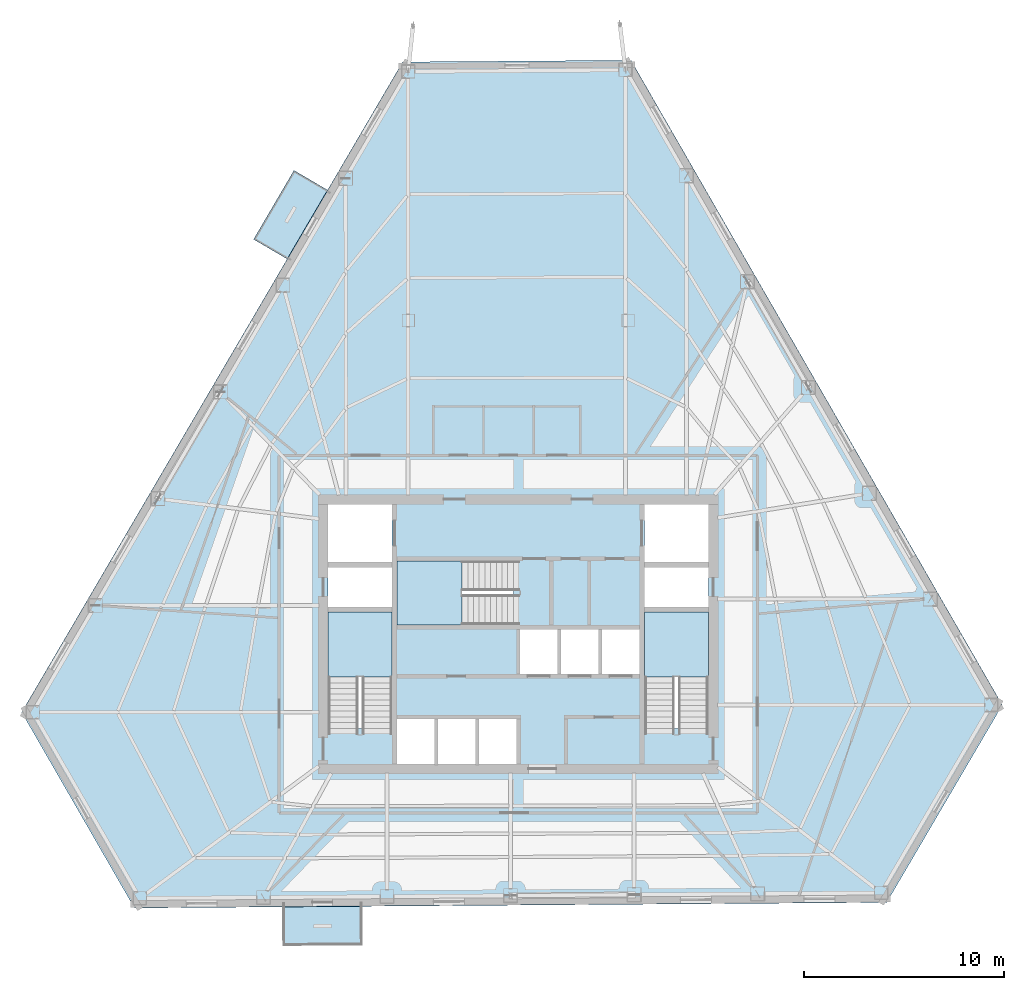
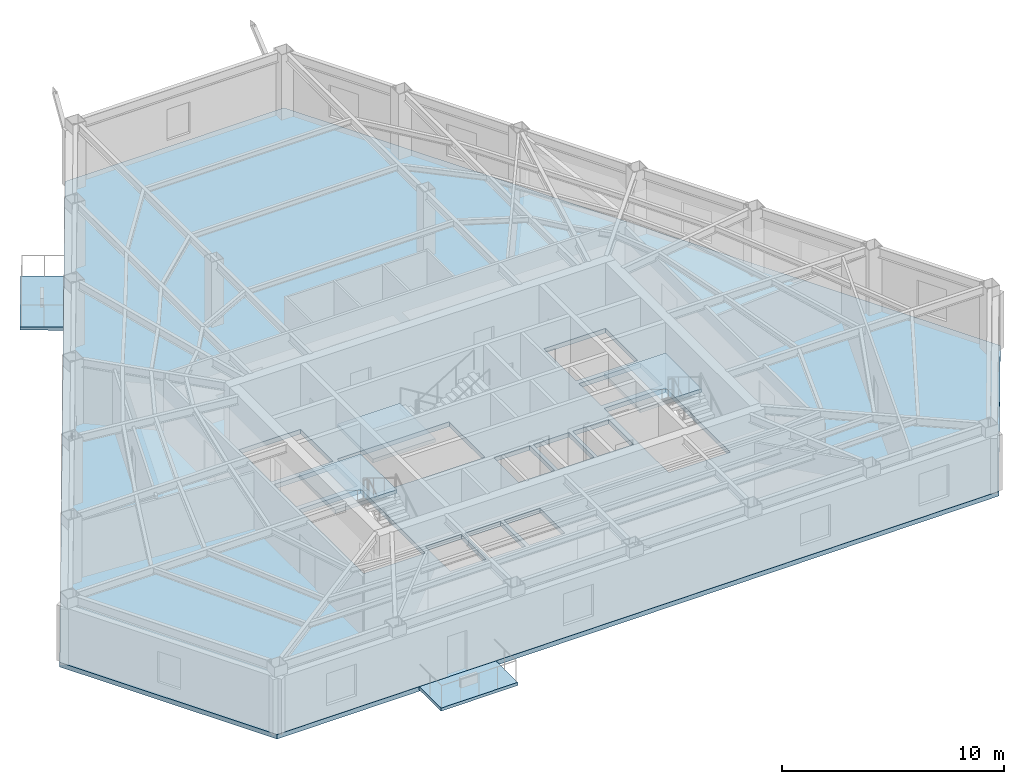
# One storey, part 3 of 12: 6 slabs, 3 elements without a shape of their own.
"""IFC4 building model written with IfcOpenShell, lengths in metres."""

from ifc_helpers import new_model, si_unit, direction, frame, origin, place, context, subcontext, project, spatial, polyline, outline, extrude, material, layer, layer_set, type_object, element, aggregate, save


model = new_model("IFC4")

# Units and contexts
model_context = context("Model", 3, precision=1e-05, world=origin(), true_north=direction((0.0, 1.0)))
body_context = subcontext(model_context, "Body", "Model", "MODEL_VIEW")
ifc_project = project(units=[si_unit("LENGTHUNIT", "METRE"), si_unit("AREAUNIT", "SQUARE_METRE"), si_unit("VOLUMEUNIT", "CUBIC_METRE"), si_unit("PLANEANGLEUNIT", "RADIAN"), si_unit("MASSUNIT", "GRAM", prefix="KILO")], contexts=[model_context])

# Site, building, storey
site_placement = place(None, origin())
site = spatial("IfcSite", under=ifc_project, at=site_placement, CompositionType="ELEMENT")
building_placement = place(site_placement, origin())
building = spatial("IfcBuilding", under=site, at=building_placement, Name="Kavelnor Concourse Tower", CompositionType="ELEMENT")
storey_placement = place(building_placement, frame((0.0, 0.0, 143.25)))
storey = spatial("IfcBuildingStorey", under=building, at=storey_placement, Name="L36", CompositionType="ELEMENT", Elevation=143.25)

# Slabs
ifc_material = material(Name="Concrete C40/50", Category="concrete")
ifc_layer_1 = layer(ifc_material, 0.169921875, Name="Concrete C40/50")
ifc_layer_set_1 = layer_set([ifc_layer_1], Name="Concrete C40/50")
slab_type_1 = type_object("IfcSlabType", Name="SLB-BALCONY-170", PredefinedType="FLOOR", material=ifc_layer_set_1)
slab_1_placement = place(storey_placement, frame((0.0, 0.0, -0.169921875)))
element("IfcSlab", 1, at=slab_1_placement, inside=storey, type_object=slab_type_1, Name="L36 Cantilevered Tree Balcony Slab 1", PredefinedType="FLOOR", context=body_context, shape_type="SweptSolid", body=[
    extrude(outline(polyline([(24.75048828125, 35.862060546875), (26.772216796875, 39.3134765625), (28.454833984375, 38.327880859375), (26.43310546875, 34.87646484375), (24.75048828125, 35.862060546875)])), origin(), (0.0, 0.0, 1.0), 0.169921875),
])
slab_2_placement = place(storey_placement, frame((0.0, 0.0, -0.169921875)))
element("IfcSlab", 2, at=slab_2_placement, inside=storey, type_object=slab_type_1, Name="L36 Cantilevered Tree Balcony Slab 2", PredefinedType="FLOOR", context=body_context, shape_type="SweptSolid", body=[
    extrude(outline(polyline([(30.21435546875, 0.524658203125), (26.214599609375, 0.4951171875), (26.2001953125, 2.445068359375), (30.199951171875, 2.474609375), (30.21435546875, 0.524658203125)])), origin(), (0.0, 0.0, 1.0), 0.169921875),
])

# Stair, slab
stair_type = type_object("IfcStairType", Name="STR-CORE-1500", PredefinedType="HALF_TURN_STAIR", material=ifc_material)
stair_1_placement = place(storey_placement, origin())
stair_1 = element("IfcStair", 3, at=stair_1_placement, inside=storey, type_object=stair_type, Name="L36 ST1", PredefinedType="HALF_TURN_STAIR")
ifc_layer_2 = layer(ifc_material, 0.199951171875, Name="Concrete C40/50")
ifc_layer_set_2 = layer_set([ifc_layer_2], Name="Concrete C40/50")
slab_type_2 = type_object("IfcSlabType", Name="SLB-LANDING-200", PredefinedType="LANDING", material=ifc_layer_set_2)
slab_3_placement = place(storey_placement, frame((0.0, 0.0, 1.72509765625)))
slab_3 = element("IfcSlab", 4, at=slab_3_placement, type_object=slab_type_2, Name="ST1 landing 1", PredefinedType="LANDING", context=body_context, shape_type="SweptSolid", body=[
    extrude(outline(polyline([(31.679931640625, 13.949951171875), (31.679931640625, 17.199951171875), (28.47998046875, 17.199951171875), (28.47998046875, 13.949951171875), (31.679931640625, 13.949951171875)])), origin(), (0.0, 0.0, 1.0), 0.199951171875),
])
aggregate(stair_1, [slab_3])

stair_2_placement = place(storey_placement, origin())
stair_2 = element("IfcStair", 5, at=stair_2_placement, inside=storey, type_object=stair_type, Name="L36 ST2", PredefinedType="HALF_TURN_STAIR")
slab_4_placement = place(storey_placement, frame((0.0, 0.0, 1.72509765625)))
slab_4 = element("IfcSlab", 6, at=slab_4_placement, type_object=slab_type_2, Name="ST2 landing 1", PredefinedType="LANDING", context=body_context, shape_type="SweptSolid", body=[
    extrude(outline(polyline([(47.52001953125, 13.949951171875), (47.52001953125, 17.199951171875), (44.320068359375, 17.199951171875), (44.320068359375, 13.949951171875), (47.52001953125, 13.949951171875)])), origin(), (0.0, 0.0, 1.0), 0.199951171875),
])
aggregate(stair_2, [slab_4])

stair_3_placement = place(storey_placement, origin())
stair_3 = element("IfcStair", 7, at=stair_3_placement, inside=storey, type_object=stair_type, Name="L36 ST3", PredefinedType="HALF_TURN_STAIR")
slab_5_placement = place(storey_placement, frame((0.0, 0.0, 1.72509765625)))
slab_5 = element("IfcSlab", 8, at=slab_5_placement, type_object=slab_type_2, Name="ST3 landing 1", PredefinedType="LANDING", context=body_context, shape_type="SweptSolid", body=[
    extrude(outline(polyline([(35.18994140625, 19.760009765625), (31.93994140625, 19.760009765625), (31.93994140625, 16.56005859375), (35.18994140625, 16.56005859375), (35.18994140625, 19.760009765625)])), origin(), (0.0, 0.0, 1.0), 0.199951171875),
])
aggregate(stair_3, [slab_5])

# Slab
ifc_layer_3 = layer(ifc_material, 0.25, Name="Concrete C40/50")
ifc_layer_set_3 = layer_set([ifc_layer_3], Name="Concrete C40/50")
slab_type_3 = type_object("IfcSlabType", Name="SLB-OFFICE-250", PredefinedType="FLOOR", material=ifc_layer_set_3)
slab_6_placement = place(storey_placement, frame((0.0, 0.0, -0.25)))
element("IfcSlab", 9, at=slab_6_placement, inside=storey, type_object=slab_type_3, Name="L36 Composite Structural Floor Slab", PredefinedType="FLOOR", context=body_context, shape_type="SweptSolid", body=[
    extrude(outline(polyline([(43.643310546875, 44.82421875), (32.2109375, 44.739990234375), (13.142578125, 12.188720703125), (18.785888671875, 2.390380859375), (56.4423828125, 2.667724609375), (62.2314453125, 12.550048828125), (43.643310546875, 44.82421875)]), holes=[polyline([(28.47998046875, 11.3798828125), (31.679931640625, 11.3798828125), (31.679931640625, 17.199951171875), (28.47998046875, 17.199951171875), (28.47998046875, 11.3798828125)]), polyline([(44.320068359375, 11.3798828125), (47.52001953125, 11.3798828125), (47.52001953125, 17.199951171875), (44.320068359375, 17.199951171875), (44.320068359375, 11.3798828125)]), polyline([(31.93994140625, 16.56005859375), (37.760009765625, 16.56005859375), (37.760009765625, 19.760009765625), (31.93994140625, 19.760009765625), (31.93994140625, 16.56005859375)]), polyline([(28.47998046875, 19.699951171875), (31.679931640625, 19.699951171875), (31.679931640625, 22.60009765625), (28.47998046875, 22.60009765625), (28.47998046875, 19.699951171875)]), polyline([(44.320068359375, 19.699951171875), (47.52001953125, 19.699951171875), (47.52001953125, 22.60009765625), (44.320068359375, 22.60009765625), (44.320068359375, 19.699951171875)]), polyline([(38.090087890625, 14.10009765625), (39.9599609375, 14.10009765625), (39.9599609375, 16.340087890625), (38.090087890625, 16.340087890625), (38.090087890625, 14.10009765625)]), polyline([(40.139892578125, 14.10009765625), (42.010009765625, 14.10009765625), (42.010009765625, 16.340087890625), (40.139892578125, 16.340087890625), (40.139892578125, 14.10009765625)]), polyline([(42.18994140625, 14.10009765625), (44.06005859375, 14.10009765625), (44.06005859375, 16.340087890625), (42.18994140625, 16.340087890625), (42.18994140625, 14.10009765625)]), polyline([(31.93994140625, 9.60009765625), (33.81005859375, 9.60009765625), (33.81005859375, 11.840087890625), (31.93994140625, 11.840087890625), (31.93994140625, 9.60009765625)]), polyline([(33.989990234375, 9.60009765625), (35.860107421875, 9.60009765625), (35.860107421875, 11.840087890625), (33.989990234375, 11.840087890625), (33.989990234375, 9.60009765625)]), polyline([(36.0400390625, 9.60009765625), (37.909912109375, 9.60009765625), (37.909912109375, 11.840087890625), (36.0400390625, 11.840087890625), (36.0400390625, 9.60009765625)]), polyline([(28.47998046875, 17.4599609375), (31.679931640625, 17.4599609375), (31.679931640625, 19.43994140625), (28.47998046875, 19.43994140625), (28.47998046875, 17.4599609375)]), polyline([(44.320068359375, 17.4599609375), (47.52001953125, 17.4599609375), (47.52001953125, 19.43994140625), (44.320068359375, 19.43994140625), (44.320068359375, 17.4599609375)])]), origin(), (0.0, 0.0, 1.0), 0.25),
])

save(model, "model.ifc")
